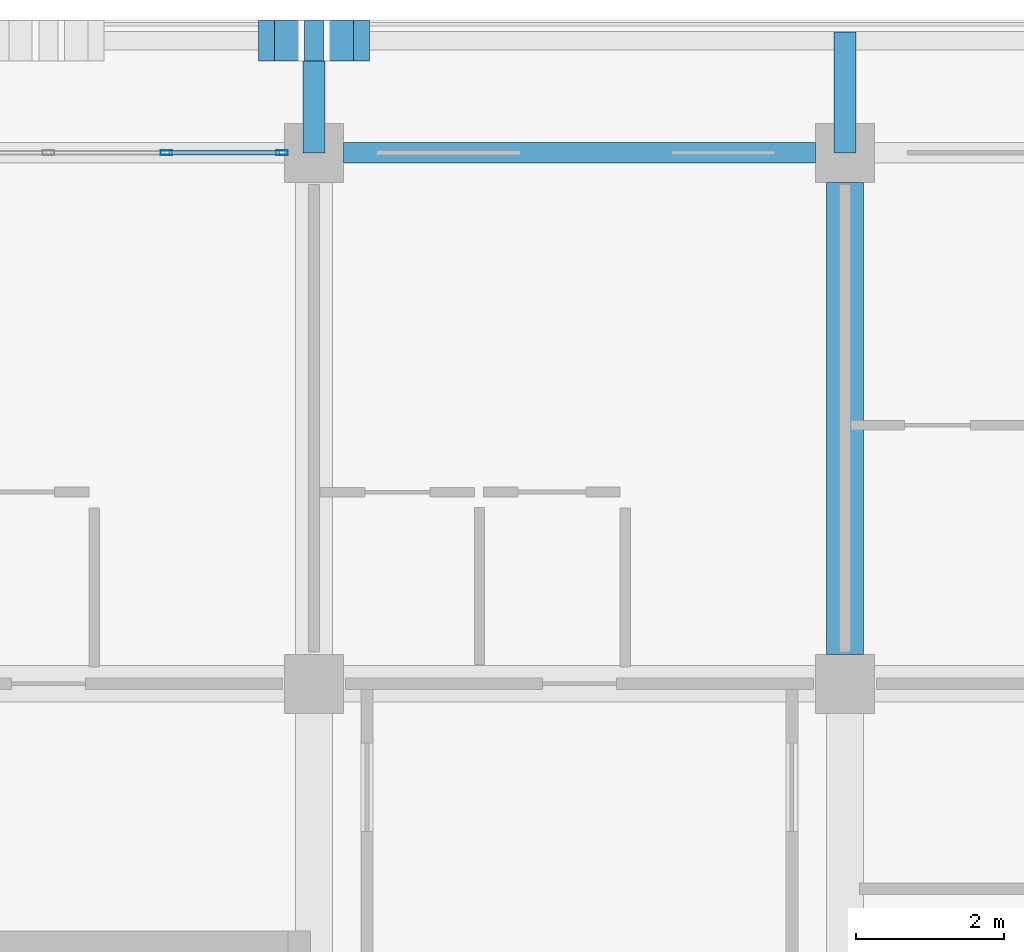
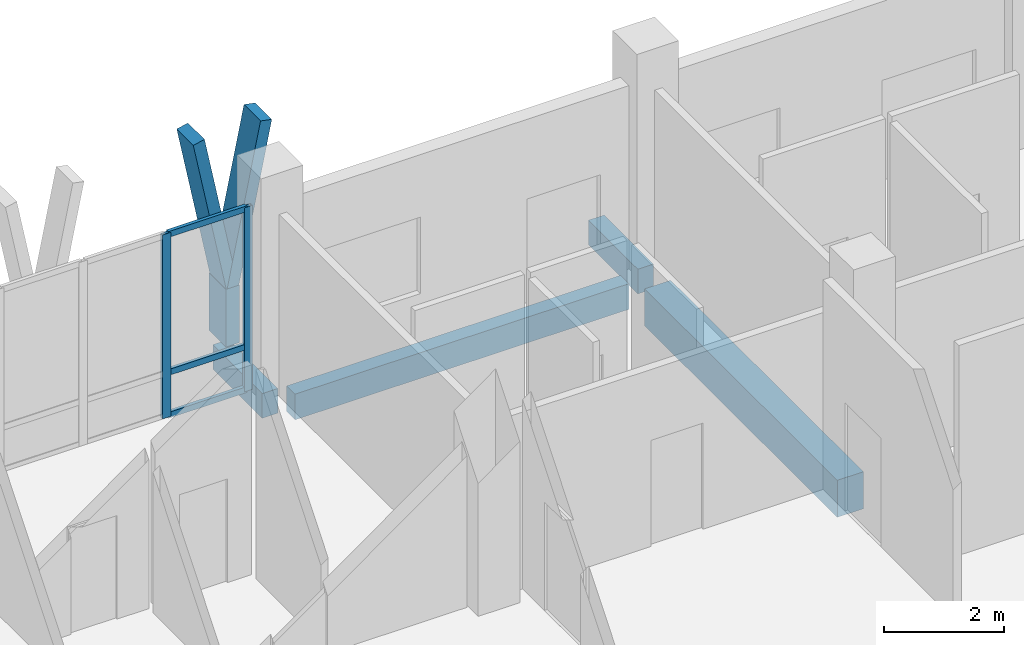
# One storey, part 41 of 110: 8 members, 4 beams, 1 element without a shape of its own.
"""IFC4 building model written with IfcOpenShell, lengths in metres."""

from ifc_helpers import new_model, si_unit, direction, frame, origin, origin_2d, place, context, subcontext, project, spatial, rectangle, hollow_rectangle, extrude, material, material_profile, profile_set, type_object, element, aggregate, save


model = new_model("IFC4")

# Units and contexts
model_context = context("Model", 3, precision=1e-05, world=origin(), true_north=direction((0.0, 1.0)))
body_context = subcontext(model_context, "Body", "Model", "MODEL_VIEW")
ifc_project = project(units=[si_unit("LENGTHUNIT", "METRE"), si_unit("AREAUNIT", "SQUARE_METRE"), si_unit("VOLUMEUNIT", "CUBIC_METRE"), si_unit("PLANEANGLEUNIT", "RADIAN"), si_unit("MASSUNIT", "GRAM", prefix="KILO")], contexts=[model_context])

# Site, building, storey
site_placement = place(None, origin())
site = spatial("IfcSite", under=ifc_project, at=site_placement, CompositionType="ELEMENT")
building_placement = place(site_placement, origin())
building = spatial("IfcBuilding", under=site, at=building_placement, Name="Suanplinth Sawtooth Commons", CompositionType="ELEMENT")
storey_placement = place(building_placement, frame((0.0, 0.0, 4.5)))
storey = spatial("IfcBuildingStorey", under=building, at=storey_placement, Name="L01", CompositionType="ELEMENT", Elevation=4.5)

# Beams
ifc_material_1 = material(Name="Concrete C40/50", Category="concrete")
ifc_material_profile_1 = material_profile(ifc_material_1, rectangle(XDim=0.5, YDim=0.75, at=origin_2d()), Name="RC-GDR 500x750")
ifc_profile_set_1 = profile_set([ifc_material_profile_1], Name="Concrete C40/50")
beam_type_1 = type_object("IfcBeamType", Name="B-03", PredefinedType="USERDEFINED", material=ifc_profile_set_1)
beam_1_placement = place(storey_placement, frame((72.0, 115.60009765625, -0.675048828125), z_axis=(0.0, 1.0, 0.0), x_axis=(-1.0, 0.0, 0.0)))
element("IfcBeam", 1, at=beam_1_placement, inside=storey, type_object=beam_type_1, Name="BMY-L01-A-10-16", ObjectType="GIRDER", PredefinedType="USERDEFINED", context=body_context, shape_type="SweptSolid", body=[
    extrude(rectangle(XDim=0.5, YDim=0.75, at=origin_2d()), origin(), (0.0, 0.0, 1.0), 6.39990234375),
])
ifc_material_2 = material(Name="Precast concrete C40/50", Category="concrete")
ifc_material_profile_2 = material_profile(ifc_material_2, rectangle(XDim=0.300048828125, YDim=0.5, at=origin_2d()), Name="PC-BM 300x500")
ifc_profile_set_2 = profile_set([ifc_material_profile_2], Name="Precast concrete C40/50")
beam_type_2 = type_object("IfcBeamType", Name="B-07", PredefinedType="BEAM", material=ifc_profile_set_2)
for number, where, z_axis, x_axis, name in (
    (2, (64.800048828125, 122.39990234375, -0.429931640625), (0.0, 1.0, 0.0), (-1.0, 0.0, 0.0), "Balcony Outrigger L01-A-N-9"),
    (3, (72.0, 122.39990234375, -0.429931640625), (0.0, 1.0, 0.0), (-1.0, 0.0, 0.0), "Balcony Outrigger L01-A-N-10"),
):
    element("IfcBeam", number, at=place(storey_placement, frame(where, z_axis=z_axis, x_axis=x_axis)), inside=storey, type_object=beam_type_2, Name=name, PredefinedType="BEAM", context=body_context, shape_type="SweptSolid", body=[
        extrude(rectangle(XDim=0.300048828125, YDim=0.5, at=origin_2d()), origin(), (0.0, 0.0, 1.0), 1.64013671875),
    ])
ifc_material_profile_3 = material_profile(ifc_material_2, rectangle(XDim=0.280029296875, YDim=0.52001953125, at=origin_2d()), Name="PC-SP 280x520")
ifc_profile_set_3 = profile_set([ifc_material_profile_3], Name="Precast concrete C40/50")
beam_type_3 = type_object("IfcBeamType", Name="B-08", PredefinedType="SPANDREL", material=ifc_profile_set_3)
beam_2_placement = place(storey_placement, frame((65.199951171875, 122.39990234375, -0.56005859375), z_axis=(1.0, 0.0, 0.0), x_axis=(0.0, 1.0, 0.0)))
element("IfcBeam", 4, at=beam_2_placement, inside=storey, type_object=beam_type_3, Name="BMX-L01-A-9-17", PredefinedType="SPANDREL", context=body_context, shape_type="SweptSolid", body=[
    extrude(rectangle(XDim=0.280029296875, YDim=0.52001953125, at=origin_2d()), origin(), (0.0, 0.0, 1.0), 6.400146484375),
])

# Members
ifc_material_3 = material(Name="Pigmented precast concrete C40/50", Category="concrete")
ifc_material_profile_4 = material_profile(ifc_material_3, rectangle(XDim=0.260009765625, YDim=0.550048828125, at=origin_2d()), Name="PC-FIN 260x550")
ifc_profile_set_4 = profile_set([ifc_material_profile_4], Name="Pigmented precast concrete C40/50")
member_type_1 = type_object("IfcMemberType", Name="M-09", PredefinedType="USERDEFINED", material=ifc_profile_set_4)
member_1_placement = place(storey_placement, frame((64.800048828125, 123.919921875, 0.0), z_axis=(0.0, 0.0, 1.0), x_axis=(1.0, 0.0, 0.0)))
element("IfcMember", 5, at=member_1_placement, inside=storey, type_object=member_type_1, Name="Y-Blade Stem L01-A-N-07", ObjectType="SHADING FIN", PredefinedType="USERDEFINED", context=body_context, shape_type="SweptSolid", body=[
    extrude(rectangle(XDim=0.260009765625, YDim=0.550048828125, at=origin_2d()), origin(), (0.0, 0.0, 1.0), 1.169921875),
])
ifc_material_profile_5 = material_profile(ifc_material_3, rectangle(XDim=0.219970703125, YDim=0.550048828125, at=origin_2d()), Name="PC-FIN 220x550")
ifc_profile_set_5 = profile_set([ifc_material_profile_5], Name="Pigmented precast concrete C40/50")
member_type_2 = type_object("IfcMemberType", Name="M-10", PredefinedType="USERDEFINED", material=ifc_profile_set_5)
member_2_placement = place(storey_placement, frame((64.800048828125, 123.919921875, 1.1298828125), z_axis=(-0.197582858822, 0.0, 0.980286189793), x_axis=(0.980286189793, 0.0, 0.197582858822)))
element("IfcMember", 6, at=member_2_placement, inside=storey, type_object=member_type_2, Name="Y-Blade Arm L L01-A-N-07", ObjectType="SHADING FIN", PredefinedType="USERDEFINED", context=body_context, shape_type="SweptSolid", body=[
    extrude(rectangle(XDim=0.219970703125, YDim=0.550048828125, at=origin_2d()), origin(), (0.0, 0.0, 1.0), 3.2646484375),
])
member_3_placement = place(storey_placement, frame((64.800048828125, 123.919921875, 1.1298828125), z_axis=(0.197510991436, 0.0, 0.980300672377), x_axis=(-0.980300672377, 0.0, 0.197510991436)))
element("IfcMember", 7, at=member_3_placement, inside=storey, type_object=member_type_2, Name="Y-Blade Arm R L01-A-N-07", ObjectType="SHADING FIN", PredefinedType="USERDEFINED", context=body_context, shape_type="SweptSolid", body=[
    extrude(rectangle(XDim=0.219970703125, YDim=0.550048828125, at=origin_2d()), origin(), (0.0, 0.0, 1.0), 3.264404296875),
])

# Curtain wall, members
ifc_material_4 = material(Name="Anodized aluminium and low-E glazing", Category="aluminium")
curtain_wall_type = type_object("IfcCurtainWallType", Name="CW-06", PredefinedType="USERDEFINED", material=ifc_material_4)
curtain_wall_placement = place(storey_placement, origin())
curtain_wall = element("IfcCurtainWall", 8, at=curtain_wall_placement, inside=storey, type_object=curtain_wall_type, Name="Curtain Wall CW-L01-A-LOUNGE-8", ObjectType="CURTAIN WALL", PredefinedType="USERDEFINED")
ifc_material_5 = material(Name="Anodized aluminium 6063-T6", Category="aluminium")
ifc_material_profile_6 = material_profile(ifc_material_5, hollow_rectangle(XDim=0.06494140625, YDim=0.159912109375, WallThickness=0.00390625, at=origin_2d()), Name="ALU-MUL 65x160")
ifc_profile_set_6 = profile_set([ifc_material_profile_6], Name="Anodized aluminium 6063-T6")
member_type_3 = type_object("IfcMemberType", Name="M-13", PredefinedType="MULLION", material=ifc_profile_set_6)
member_4_placement = place(storey_placement, frame((62.800048828125, 122.39990234375, 0.0), z_axis=(0.0, 0.0, 1.0), x_axis=(0.0, 1.0, 0.0)))
member_4 = element("IfcMember", 9, at=member_4_placement, type_object=member_type_3, Name="CW-06 mullion 4", PredefinedType="MULLION", context=body_context, shape_type="SweptSolid", body=[
    extrude(hollow_rectangle(XDim=0.06494140625, YDim=0.159912109375, WallThickness=0.00390625, at=origin_2d()), origin(), (0.0, 0.0, 1.0), 3.72998046875),
])
member_5_placement = place(storey_placement, frame((64.367431640625, 122.39990234375, 0.0), z_axis=(0.0, 0.0, 1.0), x_axis=(0.0, 1.0, 0.0)))
member_5 = element("IfcMember", 10, at=member_5_placement, type_object=member_type_3, Name="CW-06 mullion 5", PredefinedType="MULLION", context=body_context, shape_type="SweptSolid", body=[
    extrude(hollow_rectangle(XDim=0.06494140625, YDim=0.159912109375, WallThickness=0.00390625, at=origin_2d()), origin(), (0.0, 0.0, 1.0), 3.72998046875),
])
ifc_material_profile_7 = material_profile(ifc_material_5, hollow_rectangle(XDim=0.06494140625, YDim=0.1201171875, WallThickness=0.00390625, at=origin_2d()), Name="ALU-TRN 65x120")
ifc_profile_set_7 = profile_set([ifc_material_profile_7], Name="Anodized aluminium 6063-T6")
member_type_4 = type_object("IfcMemberType", Name="M-15", PredefinedType="USERDEFINED", material=ifc_profile_set_7)
member_6_placement = place(storey_placement, frame((62.83251953125, 122.39990234375, 0.032470703125), z_axis=(1.0, 0.0, 0.0), x_axis=(0.0, 1.0, 0.0)))
member_6 = element("IfcMember", 11, at=member_6_placement, type_object=member_type_4, Name="CW-06 transom 4.1", ObjectType="TRANSOM", PredefinedType="USERDEFINED", context=body_context, shape_type="SweptSolid", body=[
    extrude(hollow_rectangle(XDim=0.06494140625, YDim=0.1201171875, WallThickness=0.00390625, at=origin_2d()), origin(), (0.0, 0.0, 1.0), 1.50244140625),
])
member_7_placement = place(storey_placement, frame((62.83251953125, 122.39990234375, 0.89990234375), z_axis=(1.0, 0.0, 0.0), x_axis=(0.0, 1.0, 0.0)))
member_7 = element("IfcMember", 12, at=member_7_placement, type_object=member_type_4, Name="CW-06 transom 4.2", ObjectType="TRANSOM", PredefinedType="USERDEFINED", context=body_context, shape_type="SweptSolid", body=[
    extrude(hollow_rectangle(XDim=0.06494140625, YDim=0.1201171875, WallThickness=0.00390625, at=origin_2d()), origin(), (0.0, 0.0, 1.0), 1.50244140625),
])
member_8_placement = place(storey_placement, frame((62.83251953125, 122.39990234375, 3.697509765625), z_axis=(1.0, 0.0, 0.0), x_axis=(0.0, 1.0, 0.0)))
member_8 = element("IfcMember", 13, at=member_8_placement, type_object=member_type_4, Name="CW-06 transom 4.3", ObjectType="TRANSOM", PredefinedType="USERDEFINED", context=body_context, shape_type="SweptSolid", body=[
    extrude(hollow_rectangle(XDim=0.06494140625, YDim=0.1201171875, WallThickness=0.00390625, at=origin_2d()), origin(), (0.0, 0.0, 1.0), 1.50244140625),
])
aggregate(curtain_wall, [member_4, member_5, member_6, member_7, member_8])

save(model, "model.ifc")
